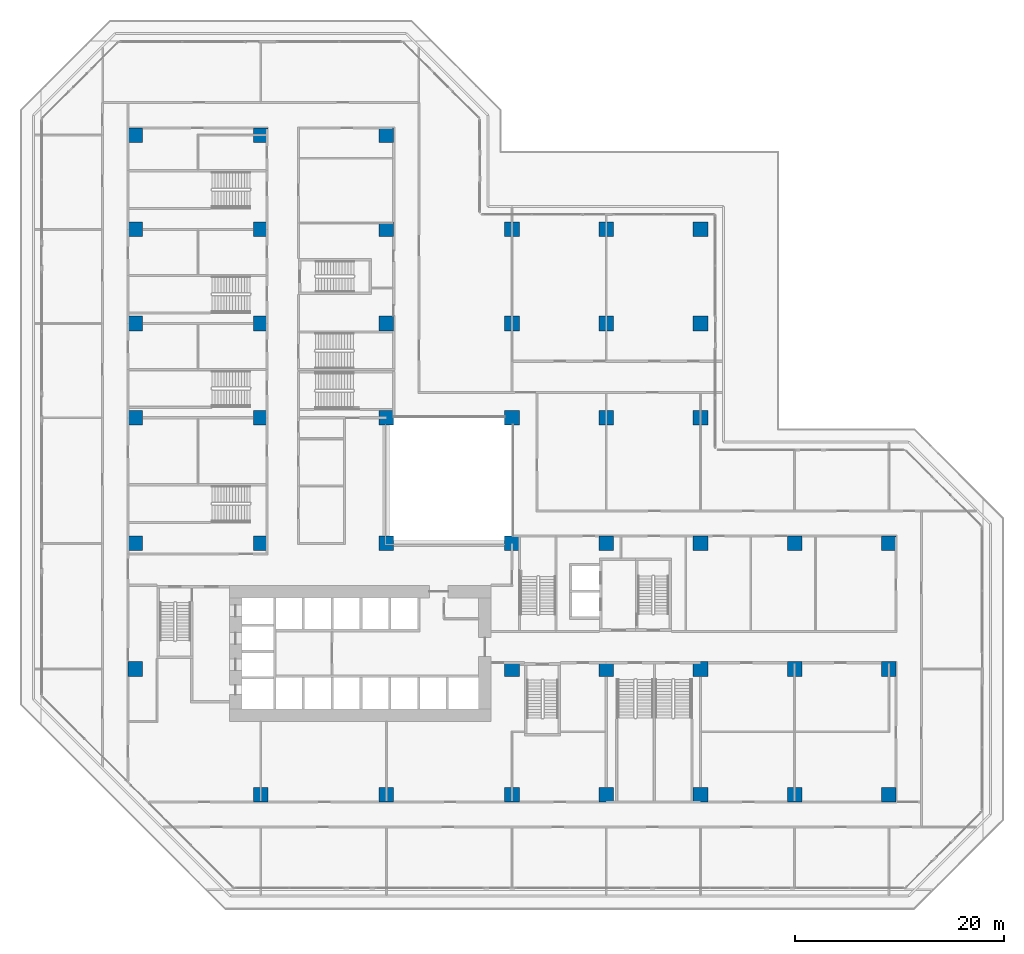
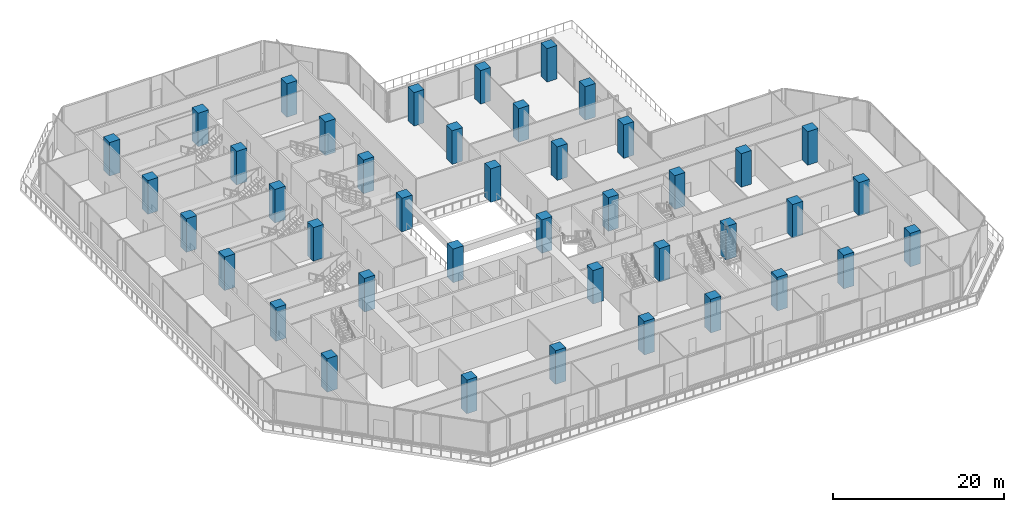
# One storey, part 1 of 26: 42 columns.
"""IFC4 building model written with IfcOpenShell, lengths in metres."""

import ifcopenshell
import ifcopenshell.guid

model = None  # the IFC model being written
_history = None  # IfcOwnerHistory: only IFC2X3 demands one
_inside = {}  # id of a spatial element -> (the spatial element, [elements in it])
_under = {}  # id of a project, library or spatial element -> (it, [spatial elements below it])
_declared = {}  # id of a project -> (the project, [libraries it declares])
_typed = {}  # id of a type object -> (the type object, [elements of that type])
_made_of = {}  # id of a material, layer set ... -> (it, [elements and type objects made of it])


def new_model(schema):
    """Start an empty IFC model of exactly this schema.

    Asked for "IFC4X3", IfcOpenShell would pick the latest addendum, in which some entities
    have other attributes; the version numbers below select the first issue.
    IFC2X3 requires an IfcOwnerHistory on every rooted entity: one is made here for all.
    """
    global model, _history
    if schema == "IFC4X3":
        model = ifcopenshell.file(schema_version=(4, 3, 0, 0))
    else:
        model = ifcopenshell.file(schema=schema)
    _inside.clear()
    _under.clear()
    _declared.clear()
    _typed.clear()
    _made_of.clear()
    _history = None
    if model.schema == "IFC2X3":
        org = make("IfcOrganization", Name="unknown")
        user = make(
            "IfcPersonAndOrganization",
            ThePerson=make("IfcPerson", FamilyName="unknown"),
            TheOrganization=org,
        )
        app = make(
            "IfcApplication",
            ApplicationDeveloper=org,
            Version="unknown",
            ApplicationFullName="unknown",
            ApplicationIdentifier="unknown",
        )
        _history = make(
            "IfcOwnerHistory",
            OwningUser=user,
            OwningApplication=app,
            ChangeAction="ADDED",
            CreationDate=0,
        )
    return model


def make(cls, **values):
    """One entity of the class cls with the attributes given. An attribute that is None is left unset."""
    return model.create_entity(
        cls, **{name: value for name, value in values.items() if value is not None}
    )


def rooted(cls, **values):
    """An entity with a GlobalId (a new one), such as an element, a storey or a relation."""
    return make(cls, GlobalId=ifcopenshell.guid.new(), OwnerHistory=_history, **values)


def si_unit(unit_type, name, prefix=None):
    """IfcSIUnit, for example si_unit("LENGTHUNIT", "METRE", prefix="MILLI")."""
    return make("IfcSIUnit", UnitType=unit_type, Prefix=prefix, Name=name)


def assignment(units):
    """IfcUnitAssignment: the units of a project."""
    return None if units is None else make("IfcUnitAssignment", Units=units)


def point(xyz):
    """IfcCartesianPoint."""
    return None if xyz is None else make("IfcCartesianPoint", Coordinates=xyz)


def direction(xyz):
    """IfcDirection."""
    return None if xyz is None else make("IfcDirection", DirectionRatios=xyz)


def frame(location, z_axis=None, x_axis=None):
    """IfcAxis2Placement3D, a coordinate frame: its origin and axes. An axis left out is left unset."""
    return make(
        "IfcAxis2Placement3D",
        Location=point(location),
        Axis=direction(z_axis),
        RefDirection=direction(x_axis),
    )


def frame_2d(location, x_axis=None):
    """IfcAxis2Placement2D, a coordinate frame in the plane: its origin and x axis."""
    return make(
        "IfcAxis2Placement2D", Location=point(location), RefDirection=direction(x_axis)
    )


def origin():
    """The frame at (0, 0, 0) with its axes left unset."""
    return frame((0.0, 0.0, 0.0))


def origin_2d():
    """The frame at (0, 0) in the plane with its x axis left unset."""
    return frame_2d((0.0, 0.0))


def place(relative_to, where):
    """IfcLocalPlacement: puts the frame where relative to a parent placement (None: the world)."""
    return make(
        "IfcLocalPlacement", PlacementRelTo=relative_to, RelativePlacement=where
    )


def context(
    kind, dimensions, precision=None, world=None, true_north=None, identifier=None
):
    """IfcGeometricRepresentationContext, for example the 3D "Model" context."""
    return make(
        "IfcGeometricRepresentationContext",
        ContextIdentifier=identifier,
        ContextType=kind,
        CoordinateSpaceDimension=dimensions,
        Precision=precision,
        WorldCoordinateSystem=world,
        TrueNorth=true_north,
    )


def subcontext(parent, identifier, kind, view, scale=None):
    """IfcGeometricRepresentationSubContext, for example "Body" below "Model"."""
    return make(
        "IfcGeometricRepresentationSubContext",
        ContextIdentifier=identifier,
        ContextType=kind,
        ParentContext=parent,
        TargetScale=scale,
        TargetView=view,
    )


def project(units=None, contexts=None):
    """IfcProject with its units and contexts."""
    return rooted(
        "IfcProject",
        Name="project",
        RepresentationContexts=contexts,
        UnitsInContext=assignment(units),
    )


def spatial(cls, under=None, at=None, **own):
    """A site, building, storey or space (cls), placed at a placement, below another one or the project."""
    s = rooted(cls, ObjectPlacement=at, **own)
    if under is not None:
        _under.setdefault(under.id(), (under, []))[1].append(s)
    return s


def profile(cls, at=None, kind="AREA", **sizes):
    """A parametric profile (cls). Its sizes go by their IFC names, for example OverallWidth=200.0."""
    return make(cls, ProfileType=kind, Position=at, **sizes)


def rectangle(**sizes):
    """IfcRectangleProfileDef."""
    return profile("IfcRectangleProfileDef", **sizes)


def extrude(swept, where, along, depth):
    """IfcExtrudedAreaSolid: the profile swept, set in the frame where, extruded along a direction by depth."""
    return make(
        "IfcExtrudedAreaSolid",
        SweptArea=swept,
        Position=where,
        ExtrudedDirection=direction(along),
        Depth=depth,
    )


def shape(context_of_items, identifier, shape_type, items):
    """IfcShapeRepresentation: the items that make up one representation, for example the "Body"."""
    return make(
        "IfcShapeRepresentation",
        ContextOfItems=context_of_items,
        RepresentationIdentifier=identifier,
        RepresentationType=shape_type,
        Items=items,
    )


def material(Name=None, Category=None):
    """IfcMaterial."""
    return make("IfcMaterial", Name=Name, Category=Category)


def material_profile(
    of_material, cross_section, Name=None, Category=None, Priority=None
):
    """IfcMaterialProfile: a cross section and its material."""
    return make(
        "IfcMaterialProfile",
        Name=Name,
        Material=of_material,
        Profile=cross_section,
        Priority=Priority,
        Category=Category,
    )


def profile_set(profiles, Name=None, composite=None):
    """IfcMaterialProfileSet."""
    return make(
        "IfcMaterialProfileSet",
        Name=Name,
        MaterialProfiles=profiles,
        CompositeProfile=composite,
    )


def made_of(thing, what):
    """Note that an element or type object is made of a material, layer set ...; save() writes the relation."""
    if what is not None:
        _made_of.setdefault(what.id(), (what, []))[1].append(thing)
    return thing


def type_object(cls, material=None, **own):
    """A type object (cls), such as IfcWallType, which elements share."""
    return made_of(rooted(cls, **own), material)


def element(
    cls,
    number,
    at=None,
    inside=None,
    cuts=None,
    type_object=None,
    material=None,
    context=None,
    identifier="Body",
    shape_type=None,
    held_by="IfcProductDefinitionShape",
    body=None,
    shapes=None,
    **own,
):
    """One element of the class cls, such as IfcWall. Its Tag is "e" and its number.

    at: its placement. inside: the storey or other place that contains it. cuts: it is an
    opening in that element (IfcRelVoidsElement). A single representation is given by context,
    identifier, shape_type and body (its items); several are given by shapes. held_by: the class
    of the entity that holds the representations. save() writes the other relations.
    """
    e = rooted(cls, Tag="e%d" % number, ObjectPlacement=at, **own)
    if body is not None:
        shapes = [shape(context, identifier, shape_type, body)]
    if shapes is not None:
        e.Representation = make(held_by, Representations=shapes)
    if inside is not None:
        _inside.setdefault(inside.id(), (inside, []))[1].append(e)
    if cuts is not None:
        rooted(
            "IfcRelVoidsElement", RelatingBuildingElement=cuts, RelatedOpeningElement=e
        )
    if type_object is not None:
        _typed.setdefault(type_object.id(), (type_object, []))[1].append(e)
    return made_of(e, material)


def aggregate(whole, parts):
    """IfcRelAggregates: a whole, such as a stair, and the parts it consists of."""
    return rooted("IfcRelAggregates", RelatingObject=whole, RelatedObjects=parts)


def save(model, path):
    """Write the relations noted so far, then the file.

    IfcRelAggregates (storeys below a building ...), IfcRelContainedInSpatialStructure (elements
    in a storey), IfcRelDefinesByType, IfcRelAssociatesMaterial and IfcRelDeclares: one each for
    every whole, place, type object, material and project.
    """
    for whole, parts in _under.values():
        aggregate(whole, parts)
    for where, things in _inside.values():
        rooted(
            "IfcRelContainedInSpatialStructure",
            RelatedElements=things,
            RelatingStructure=where,
        )
    for kind, things in _typed.values():
        rooted("IfcRelDefinesByType", RelatedObjects=things, RelatingType=kind)
    for what, things in _made_of.values():
        rooted("IfcRelAssociatesMaterial", RelatedObjects=things, RelatingMaterial=what)
    for by, libraries in _declared.values():
        rooted("IfcRelDeclares", RelatingContext=by, RelatedDefinitions=libraries)
    model.write(path)


model = new_model("IFC4")

# Units and contexts
model_context = context("Model", 3, precision=1e-05, world=origin(), true_north=direction((0.0, 1.0)))
body_context = subcontext(model_context, "Body", "Model", "MODEL_VIEW")
ifc_project = project(units=[si_unit("LENGTHUNIT", "METRE"), si_unit("AREAUNIT", "SQUARE_METRE"), si_unit("VOLUMEUNIT", "CUBIC_METRE"), si_unit("PLANEANGLEUNIT", "RADIAN"), si_unit("MASSUNIT", "GRAM", prefix="KILO")], contexts=[model_context])

# Site, building, storey
site_placement = place(None, origin())
site = spatial("IfcSite", under=ifc_project, at=site_placement, CompositionType="ELEMENT")
building_placement = place(site_placement, origin())
building = spatial("IfcBuilding", under=site, at=building_placement, Name="Chenar Terraces", CompositionType="ELEMENT")
storey_placement = place(building_placement, frame((0.0, 0.0, 16.800048828125)))
storey = spatial("IfcBuildingStorey", under=building, at=storey_placement, Name="L03", CompositionType="ELEMENT", Elevation=16.800048828125)

# Columns
ifc_material = material(Name="Concrete C60/75", Category="concrete")
ifc_material_profile = material_profile(ifc_material, rectangle(XDim=1.39990234375, YDim=1.39990234375, at=origin_2d()), Name="C 1400 x 1400")
ifc_profile_set = profile_set([ifc_material_profile], Name="Concrete C60/75")
column_type = type_object("IfcColumnType", Name="Column C 1400 x 1400 Concrete C60/75", PredefinedType="COLUMN", material=ifc_profile_set)
for number, where, z_axis, x_axis, name in (
    (1, (12.0, 0.0, 0.0), (0.0, 0.0, 1.0), (1.0, 0.0, 0.0), "Column 6/E L03"),
    (2, (24.0, 0.0, 0.0), (0.0, 0.0, 1.0), (1.0, 0.0, 0.0), "Column 7/E L03"),
    (3, (36.0, 0.0, 0.0), (0.0, 0.0, 1.0), (1.0, 0.0, 0.0), "Column 8/E L03"),
    (4, (45.0, 0.0, 0.0), (0.0, 0.0, 1.0), (1.0, 0.0, 0.0), "Column 9/E L03"),
    (5, (54.0, 0.0, 0.0), (0.0, 0.0, 1.0), (1.0, 0.0, 0.0), "Column 10/E L03"),
    (6, (63.0, 0.0, 0.0), (0.0, 0.0, 1.0), (1.0, 0.0, 0.0), "Column 11/E L03"),
    (7, (72.0, 0.0, 0.0), (0.0, 0.0, 1.0), (1.0, 0.0, 0.0), "Column 12/E L03"),
    (8, (0.0, 12.0, 0.0), (0.0, 0.0, 1.0), (1.0, 0.0, 0.0), "Column 5/F L03"),
    (9, (36.0, 12.0, 0.0), (0.0, 0.0, 1.0), (1.0, 0.0, 0.0), "Column 8/F L03"),
    (10, (45.0, 12.0, 0.0), (0.0, 0.0, 1.0), (1.0, 0.0, 0.0), "Column 9/F L03"),
    (11, (54.0, 12.0, 0.0), (0.0, 0.0, 1.0), (1.0, 0.0, 0.0), "Column 10/F L03"),
    (12, (63.0, 12.0, 0.0), (0.0, 0.0, 1.0), (1.0, 0.0, 0.0), "Column 11/F L03"),
    (13, (72.0, 12.0, 0.0), (0.0, 0.0, 1.0), (1.0, 0.0, 0.0), "Column 12/F L03"),
    (14, (0.0, 24.0, 0.0), (0.0, 0.0, 1.0), (1.0, 0.0, 0.0), "Column 5/G L03"),
    (15, (12.0, 24.0, 0.0), (0.0, 0.0, 1.0), (1.0, 0.0, 0.0), "Column 6/G L03"),
    (16, (24.0, 24.0, 0.0), (0.0, 0.0, 1.0), (1.0, 0.0, 0.0), "Column 7/G L03"),
    (17, (36.0, 24.0, 0.0), (0.0, 0.0, 1.0), (1.0, 0.0, 0.0), "Column 8/G L03"),
    (18, (45.0, 24.0, 0.0), (0.0, 0.0, 1.0), (1.0, 0.0, 0.0), "Column 9/G L03"),
    (19, (54.0, 24.0, 0.0), (0.0, 0.0, 1.0), (1.0, 0.0, 0.0), "Column 10/G L03"),
    (20, (63.0, 24.0, 0.0), (0.0, 0.0, 1.0), (1.0, 0.0, 0.0), "Column 11/G L03"),
    (21, (72.0, 24.0, 0.0), (0.0, 0.0, 1.0), (1.0, 0.0, 0.0), "Column 12/G L03"),
    (22, (0.0, 36.0, 0.0), (0.0, 0.0, 1.0), (1.0, 0.0, 0.0), "Column 5/H L03"),
    (23, (12.0, 36.0, 0.0), (0.0, 0.0, 1.0), (1.0, 0.0, 0.0), "Column 6/H L03"),
    (24, (24.0, 36.0, 0.0), (0.0, 0.0, 1.0), (1.0, 0.0, 0.0), "Column 7/H L03"),
    (25, (36.0, 36.0, 0.0), (0.0, 0.0, 1.0), (1.0, 0.0, 0.0), "Column 8/H L03"),
    (26, (45.0, 36.0, 0.0), (0.0, 0.0, 1.0), (1.0, 0.0, 0.0), "Column 9/H L03"),
    (27, (54.0, 36.0, 0.0), (0.0, 0.0, 1.0), (1.0, 0.0, 0.0), "Column 10/H L03"),
    (28, (0.0, 45.0, 0.0), (0.0, 0.0, 1.0), (1.0, 0.0, 0.0), "Column 5/J L03"),
    (29, (12.0, 45.0, 0.0), (0.0, 0.0, 1.0), (1.0, 0.0, 0.0), "Column 6/J L03"),
    (30, (24.0, 45.0, 0.0), (0.0, 0.0, 1.0), (1.0, 0.0, 0.0), "Column 7/J L03"),
    (31, (36.0, 45.0, 0.0), (0.0, 0.0, 1.0), (1.0, 0.0, 0.0), "Column 8/J L03"),
    (32, (45.0, 45.0, 0.0), (0.0, 0.0, 1.0), (1.0, 0.0, 0.0), "Column 9/J L03"),
    (33, (54.0, 45.0, 0.0), (0.0, 0.0, 1.0), (1.0, 0.0, 0.0), "Column 10/J L03"),
    (34, (0.0, 54.0, 0.0), (0.0, 0.0, 1.0), (1.0, 0.0, 0.0), "Column 5/K L03"),
    (35, (12.0, 54.0, 0.0), (0.0, 0.0, 1.0), (1.0, 0.0, 0.0), "Column 6/K L03"),
    (36, (24.0, 54.0, 0.0), (0.0, 0.0, 1.0), (1.0, 0.0, 0.0), "Column 7/K L03"),
    (37, (36.0, 54.0, 0.0), (0.0, 0.0, 1.0), (1.0, 0.0, 0.0), "Column 8/K L03"),
    (38, (45.0, 54.0, 0.0), (0.0, 0.0, 1.0), (1.0, 0.0, 0.0), "Column 9/K L03"),
    (39, (54.0, 54.0, 0.0), (0.0, 0.0, 1.0), (1.0, 0.0, 0.0), "Column 10/K L03"),
    (40, (0.0, 63.0, 0.0), (0.0, 0.0, 1.0), (1.0, 0.0, 0.0), "Column 5/L L03"),
    (41, (12.0, 63.0, 0.0), (0.0, 0.0, 1.0), (1.0, 0.0, 0.0), "Column 6/L L03"),
    (42, (24.0, 63.0, 0.0), (0.0, 0.0, 1.0), (1.0, 0.0, 0.0), "Column 7/L L03"),
):
    element("IfcColumn", number, at=place(storey_placement, frame(where, z_axis=z_axis, x_axis=x_axis)), inside=storey, type_object=column_type, Name=name, PredefinedType="COLUMN", context=body_context, shape_type="SweptSolid", body=[
        extrude(rectangle(XDim=1.39990234375, YDim=1.39990234375, at=origin_2d()), origin(), (0.0, 0.0, 1.0), 4.800048828125),
    ])

save(model, "model.ifc")
